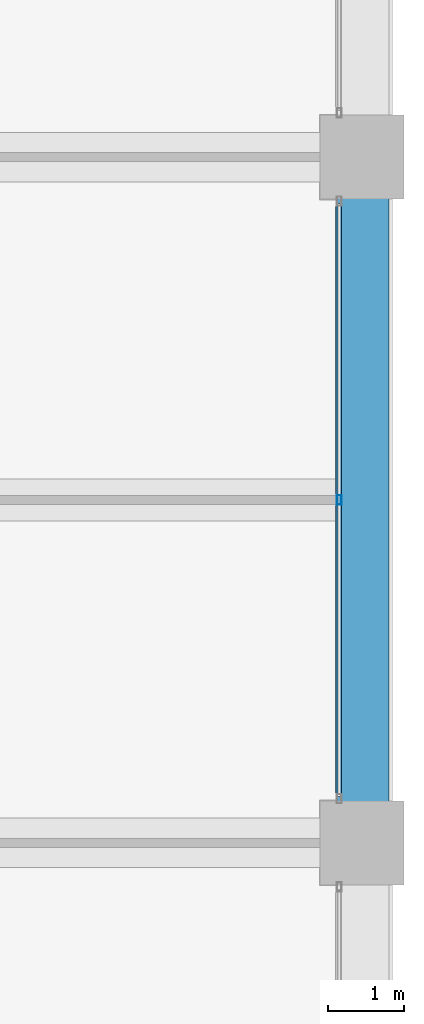
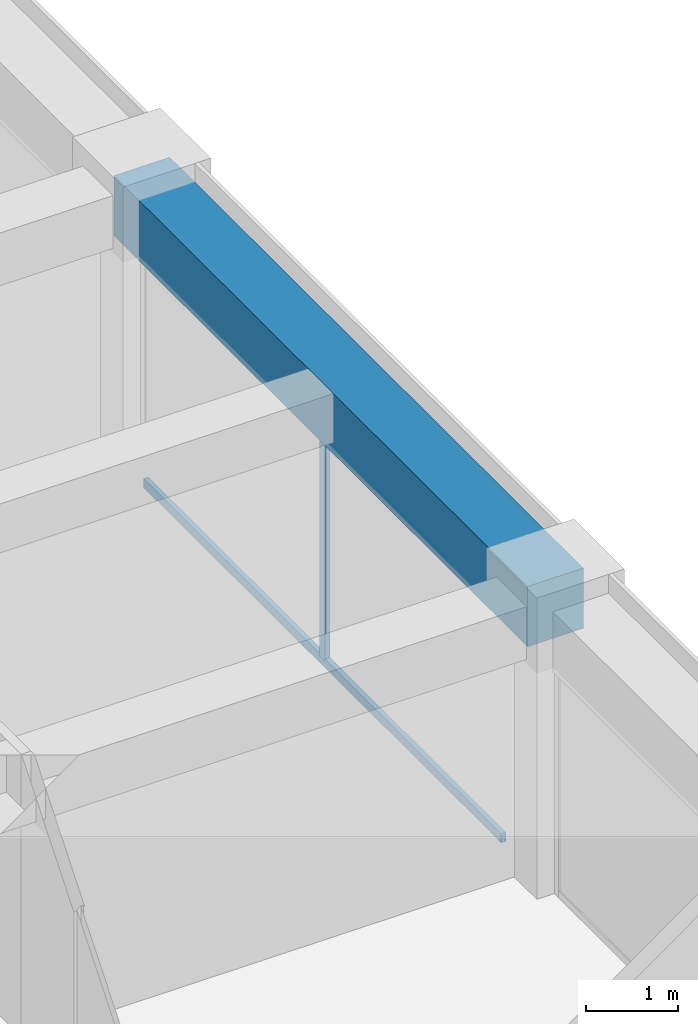
# One storey, part 25 of 44: 2 members, 1 beam, 1 element without a shape of its own.
"""IFC4 building model written with IfcOpenShell, lengths in metres."""

from ifc_helpers import new_model, si_unit, direction, frame, origin, origin_2d, place, context, subcontext, project, spatial, rectangle, hollow_rectangle, extrude, material, material_profile, profile_set, type_object, element, aggregate, save


model = new_model("IFC4")

# Units and contexts
model_context = context("Model", 3, precision=1e-05, world=origin(), true_north=direction((0.0, 1.0)))
body_context = subcontext(model_context, "Body", "Model", "MODEL_VIEW")
ifc_project = project(units=[si_unit("LENGTHUNIT", "METRE"), si_unit("AREAUNIT", "SQUARE_METRE"), si_unit("VOLUMEUNIT", "CUBIC_METRE"), si_unit("PLANEANGLEUNIT", "RADIAN"), si_unit("MASSUNIT", "GRAM", prefix="KILO")], contexts=[model_context])

# Site, building, storey
site_placement = place(None, origin())
site = spatial("IfcSite", under=ifc_project, at=site_placement, CompositionType="ELEMENT")
building_placement = place(site_placement, origin())
building = spatial("IfcBuilding", under=site, at=building_placement, Name="Zorevar Civic Tower", CompositionType="ELEMENT")
storey_placement = place(building_placement, frame((0.0, 0.0, 267.39990234375)))
storey = spatial("IfcBuildingStorey", under=building, at=storey_placement, Name="L65", CompositionType="ELEMENT", Elevation=267.39990234375)

# Curtain wall, members
ifc_material_1 = material(Name="Dark grey solar-control glass in black aluminium frame", Category="aluminium")
curtain_wall_type = type_object("IfcCurtainWallType", Name="Curtain wall CW5 top zone", PredefinedType="NOTDEFINED", material=ifc_material_1)
curtain_wall_placement = place(storey_placement, origin())
curtain_wall = element("IfcCurtainWall", 1, at=curtain_wall_placement, inside=storey, type_object=curtain_wall_type, Name="CW5 L65", PredefinedType="NOTDEFINED")
ifc_material_2 = material(Name="Aluminium, black anodised", Category="aluminium")
ifc_material_profile_1 = material_profile(ifc_material_2, hollow_rectangle(XDim=0.06005859375, YDim=0.1201171875, WallThickness=0.0029296875, at=origin_2d()), Name="AL 120x60x3")
ifc_profile_set_1 = profile_set([ifc_material_profile_1], Name="Aluminium, black anodised")
member_type_1 = type_object("IfcMemberType", Name="CW5 mullion AL 120x60x3", PredefinedType="MULLION", material=ifc_profile_set_1)
member_1_placement = place(storey_placement, frame((53.699951171875, 22.5, 0.06005859375), z_axis=(0.0, 0.0, 1.0), x_axis=(-1.0, 0.0, 0.0)))
member_1 = element("IfcMember", 2, at=member_1_placement, type_object=member_type_1, Name="CW5 mullion 2", PredefinedType="MULLION", context=body_context, shape_type="SweptSolid", body=[
    extrude(hollow_rectangle(XDim=0.06005859375, YDim=0.1201171875, WallThickness=0.0029296875, at=origin_2d()), origin(), (0.0, 0.0, 1.0), 2.89013671875),
])
ifc_material_3 = material(Name="Aluminium, black anodised", Category="aluminium")
ifc_material_profile_2 = material_profile(ifc_material_3, hollow_rectangle(XDim=0.06005859375, YDim=0.1201171875, WallThickness=0.0029296875, at=origin_2d()), Name="AL 120x60x3")
ifc_profile_set_2 = profile_set([ifc_material_profile_2], Name="Aluminium, black anodised")
member_type_2 = type_object("IfcMemberType", Name="CW5 transom AL 120x60x3", PredefinedType="USERDEFINED", material=ifc_profile_set_2)
member_2_placement = place(storey_placement, frame((53.699951171875, 18.610107421875, 0.030029296875), z_axis=(0.0, 1.0, 0.0), x_axis=(-1.0, 0.0, 0.0)))
member_2 = element("IfcMember", 3, at=member_2_placement, type_object=member_type_2, Name="CW5 sill transom", ObjectType="TRANSOM", PredefinedType="USERDEFINED", context=body_context, shape_type="SweptSolid", body=[
    extrude(hollow_rectangle(XDim=0.06005859375, YDim=0.1201171875, WallThickness=0.0029296875, at=origin_2d()), origin(), (0.0, 0.0, 1.0), 7.77978515625),
])
aggregate(curtain_wall, [member_1, member_2])

# Beam
ifc_material_4 = material(Name="Concrete C50/60", Category="concrete")
ifc_material_profile_3 = material_profile(ifc_material_4, rectangle(XDim=0.699951171875, YDim=0.800048828125, at=origin_2d()), Name="RC 700x800")
ifc_profile_set_3 = profile_set([ifc_material_profile_3], Name="Concrete C50/60")
beam_type = type_object("IfcBeamType", Name="Edge beam RC 700x800", PredefinedType="SPANDREL", material=ifc_profile_set_3)
beam_placement = place(storey_placement, frame((54.0, 18.0, 3.35009765625), z_axis=(0.0, 1.0, 0.0), x_axis=(-1.0, 0.0, 0.0)))
element("IfcBeam", 4, at=beam_placement, inside=storey, type_object=beam_type, Name="Edge beam L66", PredefinedType="SPANDREL", context=body_context, shape_type="SweptSolid", body=[
    extrude(rectangle(XDim=0.699951171875, YDim=0.800048828125, at=origin_2d()), origin(), (0.0, 0.0, 1.0), 9.0),
])

save(model, "model.ifc")
